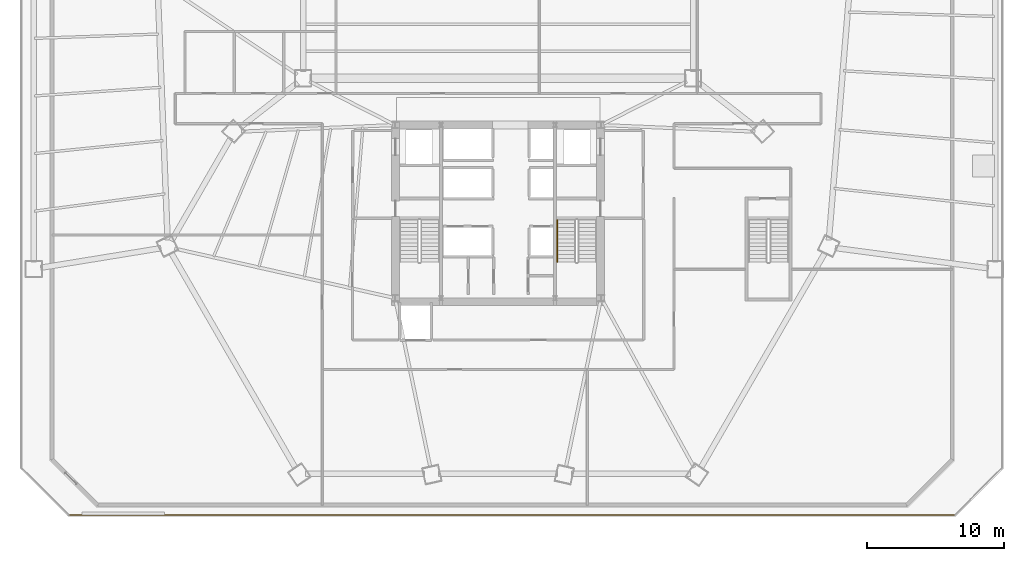
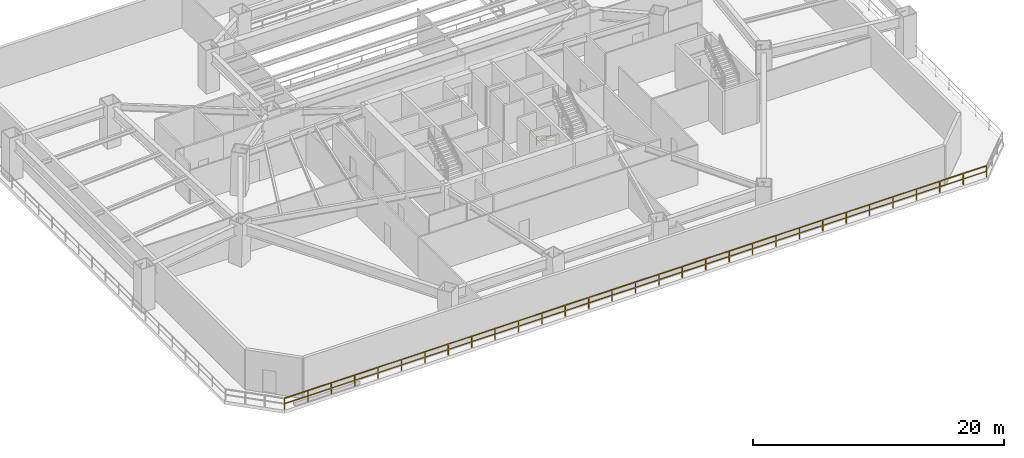
# One storey, part 10 of 12: 2 railings.
"""IFC4 building model written with IfcOpenShell, lengths in metres."""

import ifcopenshell
import ifcopenshell.guid

model = None  # the IFC model being written
_history = None  # IfcOwnerHistory: only IFC2X3 demands one
_inside = {}  # id of a spatial element -> (the spatial element, [elements in it])
_under = {}  # id of a project, library or spatial element -> (it, [spatial elements below it])
_declared = {}  # id of a project -> (the project, [libraries it declares])
_typed = {}  # id of a type object -> (the type object, [elements of that type])
_made_of = {}  # id of a material, layer set ... -> (it, [elements and type objects made of it])


def new_model(schema):
    """Start an empty IFC model of exactly this schema.

    Asked for "IFC4X3", IfcOpenShell would pick the latest addendum, in which some entities
    have other attributes; the version numbers below select the first issue.
    IFC2X3 requires an IfcOwnerHistory on every rooted entity: one is made here for all.
    """
    global model, _history
    if schema == "IFC4X3":
        model = ifcopenshell.file(schema_version=(4, 3, 0, 0))
    else:
        model = ifcopenshell.file(schema=schema)
    _inside.clear()
    _under.clear()
    _declared.clear()
    _typed.clear()
    _made_of.clear()
    _history = None
    if model.schema == "IFC2X3":
        org = make("IfcOrganization", Name="unknown")
        user = make(
            "IfcPersonAndOrganization",
            ThePerson=make("IfcPerson", FamilyName="unknown"),
            TheOrganization=org,
        )
        app = make(
            "IfcApplication",
            ApplicationDeveloper=org,
            Version="unknown",
            ApplicationFullName="unknown",
            ApplicationIdentifier="unknown",
        )
        _history = make(
            "IfcOwnerHistory",
            OwningUser=user,
            OwningApplication=app,
            ChangeAction="ADDED",
            CreationDate=0,
        )
    return model


def make(cls, **values):
    """One entity of the class cls with the attributes given. An attribute that is None is left unset."""
    return model.create_entity(
        cls, **{name: value for name, value in values.items() if value is not None}
    )


def rooted(cls, **values):
    """An entity with a GlobalId (a new one), such as an element, a storey or a relation."""
    return make(cls, GlobalId=ifcopenshell.guid.new(), OwnerHistory=_history, **values)


def si_unit(unit_type, name, prefix=None):
    """IfcSIUnit, for example si_unit("LENGTHUNIT", "METRE", prefix="MILLI")."""
    return make("IfcSIUnit", UnitType=unit_type, Prefix=prefix, Name=name)


def assignment(units):
    """IfcUnitAssignment: the units of a project."""
    return None if units is None else make("IfcUnitAssignment", Units=units)


def point(xyz):
    """IfcCartesianPoint."""
    return None if xyz is None else make("IfcCartesianPoint", Coordinates=xyz)


def direction(xyz):
    """IfcDirection."""
    return None if xyz is None else make("IfcDirection", DirectionRatios=xyz)


def frame(location, z_axis=None, x_axis=None):
    """IfcAxis2Placement3D, a coordinate frame: its origin and axes. An axis left out is left unset."""
    return make(
        "IfcAxis2Placement3D",
        Location=point(location),
        Axis=direction(z_axis),
        RefDirection=direction(x_axis),
    )


def frame_2d(location, x_axis=None):
    """IfcAxis2Placement2D, a coordinate frame in the plane: its origin and x axis."""
    return make(
        "IfcAxis2Placement2D", Location=point(location), RefDirection=direction(x_axis)
    )


def origin():
    """The frame at (0, 0, 0) with its axes left unset."""
    return frame((0.0, 0.0, 0.0))


def origin_2d():
    """The frame at (0, 0) in the plane with its x axis left unset."""
    return frame_2d((0.0, 0.0))


def place(relative_to, where):
    """IfcLocalPlacement: puts the frame where relative to a parent placement (None: the world)."""
    return make(
        "IfcLocalPlacement", PlacementRelTo=relative_to, RelativePlacement=where
    )


def context(
    kind, dimensions, precision=None, world=None, true_north=None, identifier=None
):
    """IfcGeometricRepresentationContext, for example the 3D "Model" context."""
    return make(
        "IfcGeometricRepresentationContext",
        ContextIdentifier=identifier,
        ContextType=kind,
        CoordinateSpaceDimension=dimensions,
        Precision=precision,
        WorldCoordinateSystem=world,
        TrueNorth=true_north,
    )


def subcontext(parent, identifier, kind, view, scale=None):
    """IfcGeometricRepresentationSubContext, for example "Body" below "Model"."""
    return make(
        "IfcGeometricRepresentationSubContext",
        ContextIdentifier=identifier,
        ContextType=kind,
        ParentContext=parent,
        TargetScale=scale,
        TargetView=view,
    )


def project(units=None, contexts=None):
    """IfcProject with its units and contexts."""
    return rooted(
        "IfcProject",
        Name="project",
        RepresentationContexts=contexts,
        UnitsInContext=assignment(units),
    )


def spatial(cls, under=None, at=None, **own):
    """A site, building, storey or space (cls), placed at a placement, below another one or the project."""
    s = rooted(cls, ObjectPlacement=at, **own)
    if under is not None:
        _under.setdefault(under.id(), (under, []))[1].append(s)
    return s


def profile(cls, at=None, kind="AREA", **sizes):
    """A parametric profile (cls). Its sizes go by their IFC names, for example OverallWidth=200.0."""
    return make(cls, ProfileType=kind, Position=at, **sizes)


def rectangle(**sizes):
    """IfcRectangleProfileDef."""
    return profile("IfcRectangleProfileDef", **sizes)


def extrude(swept, where, along, depth):
    """IfcExtrudedAreaSolid: the profile swept, set in the frame where, extruded along a direction by depth."""
    return make(
        "IfcExtrudedAreaSolid",
        SweptArea=swept,
        Position=where,
        ExtrudedDirection=direction(along),
        Depth=depth,
    )


def shape(context_of_items, identifier, shape_type, items):
    """IfcShapeRepresentation: the items that make up one representation, for example the "Body"."""
    return make(
        "IfcShapeRepresentation",
        ContextOfItems=context_of_items,
        RepresentationIdentifier=identifier,
        RepresentationType=shape_type,
        Items=items,
    )


def material(Name=None, Category=None):
    """IfcMaterial."""
    return make("IfcMaterial", Name=Name, Category=Category)


def layer(
    of_material, thickness, ventilated=None, Name=None, Category=None, Priority=None
):
    """IfcMaterialLayer: one layer of a wall or slab, of a material (None: an air gap)."""
    return make(
        "IfcMaterialLayer",
        Material=of_material,
        LayerThickness=thickness,
        IsVentilated=ventilated,
        Name=Name,
        Category=Category,
        Priority=Priority,
    )


def layer_set(layers, Name=None):
    """IfcMaterialLayerSet."""
    return make("IfcMaterialLayerSet", MaterialLayers=layers, LayerSetName=Name)


def made_of(thing, what):
    """Note that an element or type object is made of a material, layer set ...; save() writes the relation."""
    if what is not None:
        _made_of.setdefault(what.id(), (what, []))[1].append(thing)
    return thing


def type_object(cls, material=None, **own):
    """A type object (cls), such as IfcWallType, which elements share."""
    return made_of(rooted(cls, **own), material)


def element(
    cls,
    number,
    at=None,
    inside=None,
    cuts=None,
    type_object=None,
    material=None,
    context=None,
    identifier="Body",
    shape_type=None,
    held_by="IfcProductDefinitionShape",
    body=None,
    shapes=None,
    **own,
):
    """One element of the class cls, such as IfcWall. Its Tag is "e" and its number.

    at: its placement. inside: the storey or other place that contains it. cuts: it is an
    opening in that element (IfcRelVoidsElement). A single representation is given by context,
    identifier, shape_type and body (its items); several are given by shapes. held_by: the class
    of the entity that holds the representations. save() writes the other relations.
    """
    e = rooted(cls, Tag="e%d" % number, ObjectPlacement=at, **own)
    if body is not None:
        shapes = [shape(context, identifier, shape_type, body)]
    if shapes is not None:
        e.Representation = make(held_by, Representations=shapes)
    if inside is not None:
        _inside.setdefault(inside.id(), (inside, []))[1].append(e)
    if cuts is not None:
        rooted(
            "IfcRelVoidsElement", RelatingBuildingElement=cuts, RelatedOpeningElement=e
        )
    if type_object is not None:
        _typed.setdefault(type_object.id(), (type_object, []))[1].append(e)
    return made_of(e, material)


def aggregate(whole, parts):
    """IfcRelAggregates: a whole, such as a stair, and the parts it consists of."""
    return rooted("IfcRelAggregates", RelatingObject=whole, RelatedObjects=parts)


def save(model, path):
    """Write the relations noted so far, then the file.

    IfcRelAggregates (storeys below a building ...), IfcRelContainedInSpatialStructure (elements
    in a storey), IfcRelDefinesByType, IfcRelAssociatesMaterial and IfcRelDeclares: one each for
    every whole, place, type object, material and project.
    """
    for whole, parts in _under.values():
        aggregate(whole, parts)
    for where, things in _inside.values():
        rooted(
            "IfcRelContainedInSpatialStructure",
            RelatedElements=things,
            RelatingStructure=where,
        )
    for kind, things in _typed.values():
        rooted("IfcRelDefinesByType", RelatedObjects=things, RelatingType=kind)
    for what, things in _made_of.values():
        rooted("IfcRelAssociatesMaterial", RelatedObjects=things, RelatingMaterial=what)
    for by, libraries in _declared.values():
        rooted("IfcRelDeclares", RelatingContext=by, RelatedDefinitions=libraries)
    model.write(path)


model = new_model("IFC4")

# Units and contexts
model_context = context("Model", 3, precision=1e-05, world=origin(), true_north=direction((0.0, 1.0)))
body_context = subcontext(model_context, "Body", "Model", "MODEL_VIEW")
ifc_project = project(units=[si_unit("LENGTHUNIT", "METRE"), si_unit("AREAUNIT", "SQUARE_METRE"), si_unit("VOLUMEUNIT", "CUBIC_METRE"), si_unit("PLANEANGLEUNIT", "RADIAN"), si_unit("MASSUNIT", "GRAM", prefix="KILO")], contexts=[model_context])

# Site, building, storey
site_placement = place(None, origin())
site = spatial("IfcSite", under=ifc_project, at=site_placement, CompositionType="ELEMENT")
building_placement = place(site_placement, origin())
building = spatial("IfcBuilding", under=site, at=building_placement, Name="Caelisora Broadcast Tower", CompositionType="ELEMENT")
storey_placement = place(building_placement, frame((0.0, 0.0, 14.699951171875)))
storey = spatial("IfcBuildingStorey", under=building, at=storey_placement, Name="L03", CompositionType="ELEMENT", Elevation=14.699951171875)

# Railings
ifc_material_1 = material(Name="Laminated Glass and Stainless Steel Terrace Balustrade", Category="steel")
ifc_layer_1 = layer(ifc_material_1, 0.048095703125, Name="Laminated Glass and Stainless Steel Terrace Balustrade")
ifc_layer_set_1 = layer_set([ifc_layer_1], Name="Laminated Glass and Stainless Steel Terrace Balustrade")
railing_type_1 = type_object("IfcRailingType", Name="BL-1", PredefinedType="BALUSTRADE", material=ifc_layer_set_1)
railing_1_placement = place(storey_placement, frame((71.25, 1.6201171875, 0.0)))
element("IfcRailing", 1, at=railing_1_placement, inside=storey, type_object=railing_type_1, Name="L03 balustrade BL-1 #08", PredefinedType="BALUSTRADE", context=body_context, shape_type="SweptSolid", body=[
    extrude(rectangle(XDim=0.048095703125, YDim=0.048095703125, at=origin_2d()), frame((0.0, 0.0, 1.076171875), z_axis=(-1.0, 0.0, 0.0), x_axis=(0.0, -1.0, 0.0)), (0.0, 0.0, 1.0), 64.5),
    extrude(rectangle(XDim=0.03125, YDim=0.03125, at=origin_2d()), frame((0.0, 0.0, 0.550048828125), z_axis=(-1.0, 0.0, 0.0), x_axis=(0.0, -1.0, 0.0)), (0.0, 0.0, 1.0), 64.5),
    extrude(rectangle(XDim=0.0419921875, YDim=0.0419921875, at=origin_2d()), origin(), (0.0, 0.0, 1.0), 1.052001953125),
    extrude(rectangle(XDim=0.0419921875, YDim=0.0419921875, at=origin_2d()), frame((-2.14990234375, 0.0, 0.0)), (0.0, 0.0, 1.0), 1.052001953125),
    extrude(rectangle(XDim=0.0419921875, YDim=0.0419921875, at=origin_2d()), frame((-4.300048828125, 0.0, 0.0)), (0.0, 0.0, 1.0), 1.052001953125),
    extrude(rectangle(XDim=0.0419921875, YDim=0.0419921875, at=origin_2d()), frame((-6.449951171875, 0.0, 0.0)), (0.0, 0.0, 1.0), 1.052001953125),
    extrude(rectangle(XDim=0.0419921875, YDim=0.0419921875, at=origin_2d()), frame((-8.60009765625, 0.0, 0.0)), (0.0, 0.0, 1.0), 1.052001953125),
    extrude(rectangle(XDim=0.0419921875, YDim=0.0419921875, at=origin_2d()), frame((-10.75, 0.0, 0.0)), (0.0, 0.0, 1.0), 1.052001953125),
    extrude(rectangle(XDim=0.0419921875, YDim=0.0419921875, at=origin_2d()), frame((-12.89990234375, 0.0, 0.0)), (0.0, 0.0, 1.0), 1.052001953125),
    extrude(rectangle(XDim=0.0419921875, YDim=0.0419921875, at=origin_2d()), frame((-15.050048828125, 0.0, 0.0)), (0.0, 0.0, 1.0), 1.052001953125),
    extrude(rectangle(XDim=0.0419921875, YDim=0.0419921875, at=origin_2d()), frame((-17.199951171875, 0.0, 0.0)), (0.0, 0.0, 1.0), 1.052001953125),
    extrude(rectangle(XDim=0.0419921875, YDim=0.0419921875, at=origin_2d()), frame((-19.35009765625, 0.0, 0.0)), (0.0, 0.0, 1.0), 1.052001953125),
    extrude(rectangle(XDim=0.0419921875, YDim=0.0419921875, at=origin_2d()), frame((-21.5, 0.0, 0.0)), (0.0, 0.0, 1.0), 1.052001953125),
    extrude(rectangle(XDim=0.0419921875, YDim=0.0419921875, at=origin_2d()), frame((-23.64990234375, 0.0, 0.0)), (0.0, 0.0, 1.0), 1.052001953125),
    extrude(rectangle(XDim=0.0419921875, YDim=0.0419921875, at=origin_2d()), frame((-25.800048828125, 0.0, 0.0)), (0.0, 0.0, 1.0), 1.052001953125),
    extrude(rectangle(XDim=0.0419921875, YDim=0.0419921875, at=origin_2d()), frame((-27.949951171875, 0.0, 0.0)), (0.0, 0.0, 1.0), 1.052001953125),
    extrude(rectangle(XDim=0.0419921875, YDim=0.0419921875, at=origin_2d()), frame((-30.10009765625, 0.0, 0.0)), (0.0, 0.0, 1.0), 1.052001953125),
    extrude(rectangle(XDim=0.0419921875, YDim=0.0419921875, at=origin_2d()), frame((-32.25, 0.0, 0.0)), (0.0, 0.0, 1.0), 1.052001953125),
    extrude(rectangle(XDim=0.0419921875, YDim=0.0419921875, at=origin_2d()), frame((-34.39990234375, 0.0, 0.0)), (0.0, 0.0, 1.0), 1.052001953125),
    extrude(rectangle(XDim=0.0419921875, YDim=0.0419921875, at=origin_2d()), frame((-36.550048828125, 0.0, 0.0)), (0.0, 0.0, 1.0), 1.052001953125),
    extrude(rectangle(XDim=0.0419921875, YDim=0.0419921875, at=origin_2d()), frame((-38.699951171875, 0.0, 0.0)), (0.0, 0.0, 1.0), 1.052001953125),
    extrude(rectangle(XDim=0.0419921875, YDim=0.0419921875, at=origin_2d()), frame((-40.85009765625, 0.0, 0.0)), (0.0, 0.0, 1.0), 1.052001953125),
    extrude(rectangle(XDim=0.0419921875, YDim=0.0419921875, at=origin_2d()), frame((-43.0, 0.0, 0.0)), (0.0, 0.0, 1.0), 1.052001953125),
    extrude(rectangle(XDim=0.0419921875, YDim=0.0419921875, at=origin_2d()), frame((-45.14990234375, 0.0, 0.0)), (0.0, 0.0, 1.0), 1.052001953125),
    extrude(rectangle(XDim=0.0419921875, YDim=0.0419921875, at=origin_2d()), frame((-47.300048828125, 0.0, 0.0)), (0.0, 0.0, 1.0), 1.052001953125),
    extrude(rectangle(XDim=0.0419921875, YDim=0.0419921875, at=origin_2d()), frame((-49.449951171875, 0.0, 0.0)), (0.0, 0.0, 1.0), 1.052001953125),
    extrude(rectangle(XDim=0.0419921875, YDim=0.0419921875, at=origin_2d()), frame((-51.60009765625, 0.0, 0.0)), (0.0, 0.0, 1.0), 1.052001953125),
    extrude(rectangle(XDim=0.0419921875, YDim=0.0419921875, at=origin_2d()), frame((-53.75, 0.0, 0.0)), (0.0, 0.0, 1.0), 1.052001953125),
    extrude(rectangle(XDim=0.0419921875, YDim=0.0419921875, at=origin_2d()), frame((-55.89990234375, 0.0, 0.0)), (0.0, 0.0, 1.0), 1.052001953125),
    extrude(rectangle(XDim=0.0419921875, YDim=0.0419921875, at=origin_2d()), frame((-58.050048828125, 0.0, 0.0)), (0.0, 0.0, 1.0), 1.052001953125),
    extrude(rectangle(XDim=0.0419921875, YDim=0.0419921875, at=origin_2d()), frame((-60.199951171875, 0.0, 0.0)), (0.0, 0.0, 1.0), 1.052001953125),
    extrude(rectangle(XDim=0.0419921875, YDim=0.0419921875, at=origin_2d()), frame((-62.35009765625, 0.0, 0.0)), (0.0, 0.0, 1.0), 1.052001953125),
    extrude(rectangle(XDim=0.0419921875, YDim=0.0419921875, at=origin_2d()), frame((-64.5, 0.0, 0.0)), (0.0, 0.0, 1.0), 1.052001953125),
])
ifc_material_2 = material(Name="Stainless Steel Grade 316 Tubular Handrail", Category="steel")
ifc_layer_2 = layer(ifc_material_2, 0.048095703125, Name="Stainless Steel Grade 316 Tubular Handrail")
ifc_layer_set_2 = layer_set([ifc_layer_2], Name="Stainless Steel Grade 316 Tubular Handrail")
railing_type_2 = type_object("IfcRailingType", Name="HR-1", PredefinedType="HANDRAIL", material=ifc_layer_set_2)
railing_2_placement = place(storey_placement, frame((42.31005859375, 23.10009765625, 0.175048828125)))
element("IfcRailing", 2, at=railing_2_placement, inside=storey, type_object=railing_type_2, Name="L03 ST-2 stair handrail 1", PredefinedType="HANDRAIL", context=body_context, shape_type="SweptSolid", body=[
    extrude(rectangle(XDim=0.048095703125, YDim=0.048095703125, at=origin_2d()), frame((0.0, 0.0, 0.8759765625), z_axis=(0.0, -0.847998304005, 0.529998940003), x_axis=(1.0, 0.0, 0.0)), (0.0, 0.0, 1.0), 3.632080078125),
    extrude(rectangle(XDim=0.03125, YDim=0.03125, at=origin_2d()), frame((0.0, 0.0, 0.449951171875), z_axis=(0.0, -0.847998304005, 0.529998940003), x_axis=(1.0, 0.0, 0.0)), (0.0, 0.0, 1.0), 3.632080078125),
    extrude(rectangle(XDim=0.0419921875, YDim=0.0419921875, at=origin_2d()), origin(), (0.0, 0.0, 1.0), 0.851806640625),
    extrude(rectangle(XDim=0.0419921875, YDim=0.0419921875, at=origin_2d()), frame((0.0, -1.5400390625, 0.96240234375)), (0.0, 0.0, 1.0), 0.851806640625),
    extrude(rectangle(XDim=0.0419921875, YDim=0.0419921875, at=origin_2d()), frame((0.0, -3.080078125, 1.925048828125)), (0.0, 0.0, 1.0), 0.851806640625),
])

save(model, "model.ifc")
